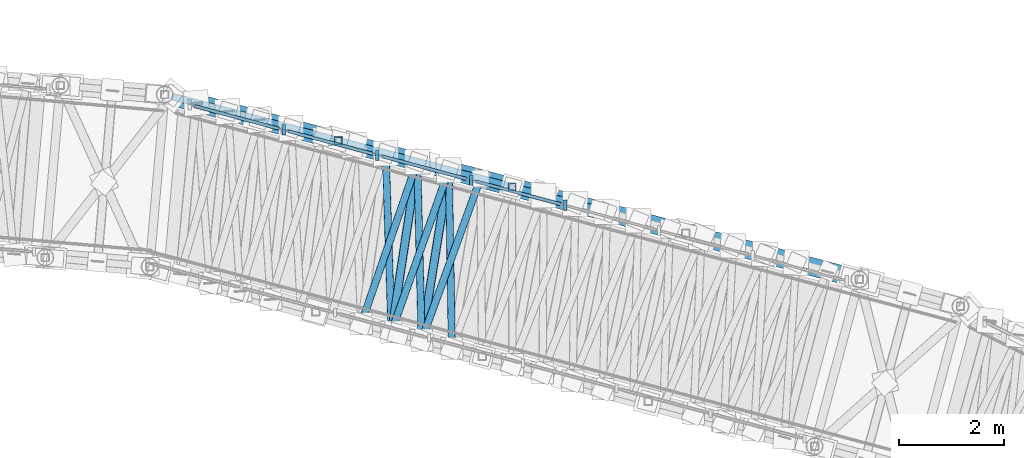
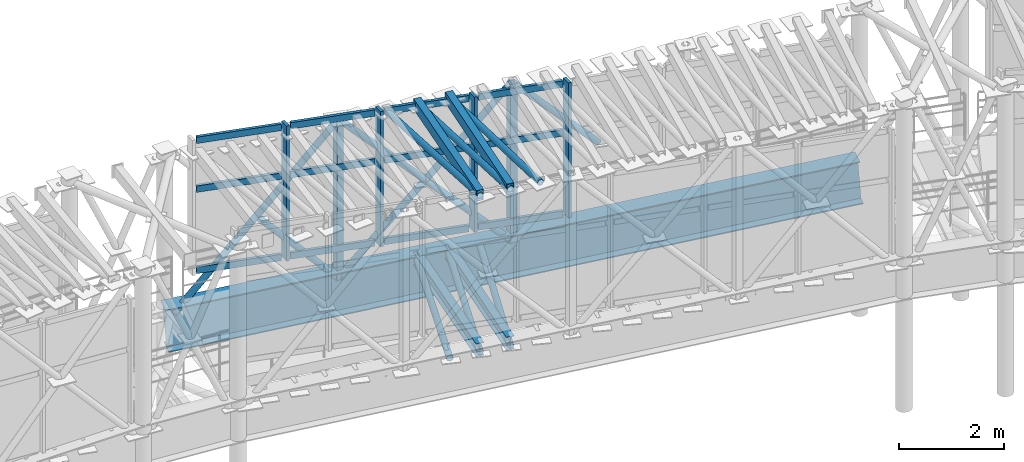
# One storey, part 59 of 144: 32 members, 3 beams, 1 element without a shape of its own.
"""IFC4 building model written with IfcOpenShell, lengths in metres."""

from ifc_helpers import new_model, si_unit, direction, frame, origin, origin_2d, place, context, subcontext, project, spatial, rectangle, hollow_rectangle, hollow_circle, i_section, extrude, material, material_profile, profile_set, type_object, element, aggregate, save


model = new_model("IFC4")

# Units and contexts
model_context = context("Model", 3, precision=1e-05, world=origin(), true_north=direction((0.0, 1.0)))
body_context = subcontext(model_context, "Body", "Model", "MODEL_VIEW")
ifc_project = project(units=[si_unit("LENGTHUNIT", "METRE"), si_unit("AREAUNIT", "SQUARE_METRE"), si_unit("VOLUMEUNIT", "CUBIC_METRE"), si_unit("PLANEANGLEUNIT", "RADIAN"), si_unit("MASSUNIT", "GRAM", prefix="KILO")], contexts=[model_context])

# Site, building, storey
site_placement = place(None, origin())
site = spatial("IfcSite", under=ifc_project, at=site_placement, CompositionType="ELEMENT")
building_placement = place(site_placement, origin())
building = spatial("IfcBuilding", under=site, at=building_placement, Name="Cinderbank Siding Concert Hall", CompositionType="ELEMENT")
storey_placement = place(building_placement, frame((0.0, 0.0, 5.39990234375)))
storey = spatial("IfcBuildingStorey", under=building, at=storey_placement, Name="L02", CompositionType="ELEMENT", Elevation=5.39990234375)

# Beam
ifc_material_1 = material(Name="Structural steel welded plate section AS/NZS 3679.2 / AS/NZS 3678 Grade 350 (340 MPa)", Category="steel")
ifc_material_profile_1 = material_profile(ifc_material_1, i_section(OverallWidth=0.35009765625, OverallDepth=1.0, WebThickness=0.013916015625, FlangeThickness=0.02490234375, at=origin_2d()), Name="1000WB258", Category="LoadBearing")
ifc_profile_set_1 = profile_set([ifc_material_profile_1], Name="Structural steel welded plate section AS/NZS 3679.2 / AS/NZS 3678 Grade 350 (340 MPa)")
beam_type_1 = type_object("IfcBeamType", Name="BM-WB1000 1000WB258", PredefinedType="BEAM", material=ifc_profile_set_1)
beam_1_placement = place(storey_placement, frame((94.863037109375, 101.090087890625, 2.16015625), z_axis=(0.964029778226, -0.256474894526, 0.069765429628), x_axis=(0.257101341493, 0.966384447413, 0.0)))
element("IfcBeam", 1, at=beam_1_placement, inside=storey, type_object=beam_type_1, Name="L02 Beam BM-WB1000 #1985", PredefinedType="BEAM", context=body_context, shape_type="SweptSolid", body=[
    extrude(i_section(OverallWidth=0.35009765625, OverallDepth=1.0, WebThickness=0.013916015625, FlangeThickness=0.02490234375, at=origin_2d()), origin(), (0.0, 0.0, 1.0), 13.759765625),
])

# Members
ifc_material_2 = material(Name="Structural steel hollow section AS/NZS 1163 Grade C350L0 (350 MPa)", Category="steel")
ifc_material_profile_2 = material_profile(ifc_material_2, hollow_circle(Radius=0.06982421875, WallThickness=0.00634765625, at=origin_2d()), Name="139.7x6.4CHS", Category="LoadBearing")
ifc_profile_set_2 = profile_set([ifc_material_profile_2], Name="Structural steel hollow section AS/NZS 1163 Grade C350L0 (350 MPa)")
member_type_1 = type_object("IfcMemberType", Name="BR-CHS139 139.7x6.4CHS Roof Truss", PredefinedType="BRACE", material=ifc_profile_set_2)
member_1_placement = place(storey_placement, frame((95.046630859375, 101.041259765625, 2.443359375), z_axis=(0.615209960103, -0.163691590974, 0.771182058943), x_axis=(0.257128212589, 0.966377298104, 0.0)))
element("IfcMember", 2, at=member_1_placement, inside=storey, type_object=member_type_1, Name="L02 Diagonal Brace BR-CHS139 #BRDL-BR-CHS139-L02-0340", PredefinedType="BRACE", context=body_context, shape_type="SweptSolid", body=[
    extrude(hollow_circle(Radius=0.06982421875, WallThickness=0.00634765625, at=origin_2d()), origin(), (0.0, 0.0, 1.0), 5.091796875),
])
member_2_placement = place(storey_placement, frame((96.622802734375, 100.621826171875, 4.395751953125), z_axis=(0.659379670982, -0.175420850507, -0.731058119921), x_axis=(0.257096502905, 0.966385734681, 0.0)))
element("IfcMember", 3, at=member_2_placement, inside=storey, type_object=member_type_1, Name="L02 Diagonal Brace BR-CHS139 #BRDL-BR-CHS139-L02-0341-S37", PredefinedType="BRACE", context=body_context, shape_type="SweptSolid", body=[
    extrude(hollow_circle(Radius=0.06982421875, WallThickness=0.00634765625, at=origin_2d()), origin(), (0.0, 0.0, 1.0), 2.3603515625),
])
member_3_placement = place(storey_placement, frame((98.17919921875, 100.207763671875, 2.670166015625), z_axis=(0.634724017594, -0.168867240841, 0.75406185188), x_axis=(0.25710469443, 0.966383555377, 0.0)))
element("IfcMember", 4, at=member_3_placement, inside=storey, type_object=member_type_1, Name="L02 Diagonal Brace BR-CHS139 #BRDL-BR-CHS139-L02-0343", PredefinedType="BRACE", context=body_context, shape_type="SweptSolid", body=[
    extrude(hollow_circle(Radius=0.06982421875, WallThickness=0.00634765625, at=origin_2d()), origin(), (0.0, 0.0, 1.0), 5.224853515625),
])
for number, where, z_axis, x_axis, name in (
    (5, (98.17919921875, 100.207763671875, 6.3701171875), (0.680542172406, -0.181074628391, -0.709981922679), (0.257127962504, 0.966377364645, 0.0), "L02 Diagonal Brace BR-CHS139 #BRDL-BR-CHS139-L02-0344"),
    (6, (99.84765625, 99.763916015625, 4.62939453125), (0.680542172406, -0.181074628391, -0.709981922679), (0.257127962504, 0.966377364645, 0.0), "L02 Diagonal Brace BR-CHS139 #BRDL-BR-CHS139-L02-0344-S38"),
):
    element("IfcMember", number, at=place(storey_placement, frame(where, z_axis=z_axis, x_axis=x_axis)), inside=storey, type_object=member_type_1, Name=name, PredefinedType="BRACE", context=body_context, shape_type="SweptSolid", body=[
        extrude(hollow_circle(Radius=0.06982421875, WallThickness=0.00634765625, at=origin_2d()), origin(), (0.0, 0.0, 1.0), 2.421630859375),
    ])
member_4_placement = place(storey_placement, frame((101.49560546875, 99.325439453125, 6.610107421875), z_axis=(0.68050046147, -0.180989528573, -0.710043599003), x_axis=(0.257029816946, 0.966403473297, 0.0)))
element("IfcMember", 7, at=member_4_placement, inside=storey, type_object=member_type_1, Name="L02 Diagonal Brace BR-CHS139 #BRDL-BR-CHS139-L02-0347", PredefinedType="BRACE", context=body_context, shape_type="SweptSolid", body=[
    extrude(hollow_circle(Radius=0.06982421875, WallThickness=0.00634765625, at=origin_2d()), origin(), (0.0, 0.0, 1.0), 2.42138671875),
])
member_5_placement = place(storey_placement, frame((98.615478515625, 96.711181640625, 2.765625), z_axis=(0.326956347543, 0.944946325621, 0.013266065617), x_axis=(-0.945029486439, 0.326985121619, 0.0)))
element("IfcMember", 8, at=member_5_placement, inside=storey, type_object=member_type_1, Name="L02 Diagonal Brace BR-CHS139 #BRST-BR-CHS139-L02-0383", PredefinedType="BRACE", context=body_context, shape_type="SweptSolid", body=[
    extrude(hollow_circle(Radius=0.06982421875, WallThickness=0.00634765625, at=origin_2d()), origin(), (0.0, 0.0, 1.0), 3.27587890625),
])
member_6_placement = place(storey_placement, frame((99.083740234375, 99.967041015625, 6.405517578125), z_axis=(0.031969004678, -0.999406871075, 0.012801905676), x_axis=(0.999488776933, 0.031971624681, 0.0)))
element("IfcMember", 9, at=member_6_placement, inside=storey, type_object=member_type_1, Name="L02 Diagonal Brace BR-CHS139 #BRXR-BR-CHS139-L02-0384", PredefinedType="BRACE", context=body_context, shape_type="SweptSolid", body=[
    extrude(hollow_circle(Radius=0.06982421875, WallThickness=0.00634765625, at=origin_2d()), origin(), (0.0, 0.0, 1.0), 3.41357421875),
])
member_7_placement = place(storey_placement, frame((99.19287109375, 96.555419921875, 2.80908203125), z_axis=(0.334363099547, 0.942350142535, 0.013323908018), x_axis=(-0.942433799747, 0.334392782659, 0.0)))
element("IfcMember", 10, at=member_7_placement, inside=storey, type_object=member_type_1, Name="L02 Diagonal Brace BR-CHS139 #BRST-BR-CHS139-L02-0386", PredefinedType="BRACE", context=body_context, shape_type="SweptSolid", body=[
    extrude(hollow_circle(Radius=0.06982421875, WallThickness=0.00634765625, at=origin_2d()), origin(), (0.0, 0.0, 1.0), 3.27978515625),
])
member_8_placement = place(storey_placement, frame((99.6865234375, 99.806640625, 6.44921875), z_axis=(0.024497997072, -0.999618564724, 0.012750419529), x_axis=(0.999699830227, 0.024499988673, 0.0)))
element("IfcMember", 11, at=member_8_placement, inside=storey, type_object=member_type_1, Name="L02 Diagonal Brace BR-CHS139 #BRXR-BR-CHS139-L02-0387", PredefinedType="BRACE", context=body_context, shape_type="SweptSolid", body=[
    extrude(hollow_circle(Radius=0.06982421875, WallThickness=0.00634765625, at=origin_2d()), origin(), (0.0, 0.0, 1.0), 3.408203125),
])
member_9_placement = place(storey_placement, frame((99.77001953125, 96.399658203125, 2.852783203125), z_axis=(0.341796367137, 0.939679834053, 0.013306122166), x_axis=(-0.939763031614, 0.341826629172, 0.0)))
element("IfcMember", 12, at=member_9_placement, inside=storey, type_object=member_type_1, Name="L02 Diagonal Brace BR-CHS139 #BRST-BR-CHS139-L02-0389", PredefinedType="BRACE", context=body_context, shape_type="SweptSolid", body=[
    extrude(hollow_circle(Radius=0.06982421875, WallThickness=0.00634765625, at=origin_2d()), origin(), (0.0, 0.0, 1.0), 3.2841796875),
])
member_10_placement = place(storey_placement, frame((100.28955078125, 99.646240234375, 6.49267578125), z_axis=(0.017002453812, -0.99977298025, 0.012841515748), x_axis=(0.999855423992, 0.017003855876, 0.0)))
element("IfcMember", 13, at=member_10_placement, inside=storey, type_object=member_type_1, Name="L02 Diagonal Brace BR-CHS139 #BRXR-BR-CHS139-L02-0390", PredefinedType="BRACE", context=body_context, shape_type="SweptSolid", body=[
    extrude(hollow_circle(Radius=0.06982421875, WallThickness=0.00634765625, at=origin_2d()), origin(), (0.0, 0.0, 1.0), 3.403076171875),
])
ifc_material_profile_3 = material_profile(ifc_material_2, hollow_rectangle(XDim=0.14990234375, YDim=0.14990234375, WallThickness=0.008056640625, at=origin_2d()), Name="150x150x8.0SHS", Category="LoadBearing")
ifc_profile_set_3 = profile_set([ifc_material_profile_3], Name="Structural steel hollow section AS/NZS 1163 Grade C350L0 (350 MPa)")
member_type_2 = type_object("IfcMemberType", Name="BR-SHS150 150x150x8.0SHS Roof Truss", PredefinedType="BRACE", material=ifc_profile_set_3)
for number, where, z_axis, x_axis, name in (
    (14, (98.17919921875, 100.207763671875, 2.670166015625), (0.0, 0.0, 1.0), (1.0, 0.0, 0.0), "L02 Diagonal Brace BR-SHS150 #BRVL-BR-SHS150-L02-0342"),
    (15, (101.49560546875, 99.325439453125, 2.91015625), (0.0, 0.0, 1.0), (1.0, 0.0, 0.0), "L02 Diagonal Brace BR-SHS150 #BRVL-BR-SHS150-L02-0345"),
):
    element("IfcMember", number, at=place(storey_placement, frame(where, z_axis=z_axis, x_axis=x_axis)), inside=storey, type_object=member_type_2, Name=name, PredefinedType="BRACE", context=body_context, shape_type="SweptSolid", body=[
        extrude(hollow_rectangle(XDim=0.14990234375, YDim=0.14990234375, WallThickness=0.008056640625, at=origin_2d()), origin(), (0.0, 0.0, 1.0), 3.699951171875),
    ])

# Curtain wall, members
ifc_material_3 = material(Name="Anodised aluminium alloy 6063-T6", Category="aluminium")
curtain_wall_type = type_object("IfcCurtainWallType", Name="CW-15 Unitised Acoustic Curtain Wall 12800x3200", PredefinedType="NOTDEFINED", material=ifc_material_3)
curtain_wall_placement = place(storey_placement, origin())
curtain_wall = element("IfcCurtainWall", 16, at=curtain_wall_placement, inside=storey, type_object=curtain_wall_type, Name="L02 Curtain Wall CW-15 #159", PredefinedType="NOTDEFINED")
ifc_material_profile_4 = material_profile(ifc_material_3, rectangle(XDim=0.06494140625, YDim=0.199951171875, at=origin_2d()), Name="ALU-MULL-65x200", Category="LoadBearing")
ifc_profile_set_4 = profile_set([ifc_material_profile_4], Name="Anodised aluminium alloy 6063-T6")
member_type_3 = type_object("IfcMemberType", Name="CW-ML2 Mullion 65x200", PredefinedType="MULLION", material=ifc_profile_set_4)
member_11_placement = place(storey_placement, frame((97.1337890625, 100.4140625, 3.360107421875), z_axis=(0.0, 0.0, 1.0), x_axis=(1.0, 0.0, 0.0)))
member_11 = element("IfcMember", 17, at=member_11_placement, type_object=member_type_3, Name="CW-L02-159 Mullion 1", PredefinedType="MULLION", context=body_context, shape_type="SweptSolid", body=[
    extrude(rectangle(XDim=0.06494140625, YDim=0.199951171875, at=origin_2d()), origin(), (0.0, 0.0, 1.0), 3.14990234375),
])
member_12_placement = place(storey_placement, frame((98.92578125, 99.933837890625, 3.360107421875), z_axis=(0.0, 0.0, 1.0), x_axis=(1.0, 0.0, 0.0)))
member_12 = element("IfcMember", 18, at=member_12_placement, type_object=member_type_3, Name="CW-L02-159 Mullion 2", PredefinedType="MULLION", context=body_context, shape_type="SweptSolid", body=[
    extrude(rectangle(XDim=0.06494140625, YDim=0.199951171875, at=origin_2d()), origin(), (0.0, 0.0, 1.0), 3.14990234375),
])
member_13_placement = place(storey_placement, frame((100.7177734375, 99.453857421875, 3.360107421875), z_axis=(0.0, 0.0, 1.0), x_axis=(1.0, 0.0, 0.0)))
member_13 = element("IfcMember", 19, at=member_13_placement, type_object=member_type_3, Name="CW-L02-159 Mullion 3", PredefinedType="MULLION", context=body_context, shape_type="SweptSolid", body=[
    extrude(rectangle(XDim=0.06494140625, YDim=0.199951171875, at=origin_2d()), origin(), (0.0, 0.0, 1.0), 3.14990234375),
])
member_14_placement = place(storey_placement, frame((102.509765625, 98.9736328125, 3.360107421875), z_axis=(0.0, 0.0, 1.0), x_axis=(1.0, 0.0, 0.0)))
member_14 = element("IfcMember", 20, at=member_14_placement, type_object=member_type_3, Name="CW-L02-159 Mullion 4", PredefinedType="MULLION", context=body_context, shape_type="SweptSolid", body=[
    extrude(rectangle(XDim=0.06494140625, YDim=0.199951171875, at=origin_2d()), origin(), (0.0, 0.0, 1.0), 3.14990234375),
])
ifc_material_profile_5 = material_profile(ifc_material_3, rectangle(XDim=0.06494140625, YDim=0.14990234375, at=origin_2d()), Name="ALU-TRAN-65x150", Category="LoadBearing")
ifc_profile_set_5 = profile_set([ifc_material_profile_5], Name="Anodised aluminium alloy 6063-T6")
member_type_4 = type_object("IfcMemberType", Name="CW-TR2 Transom 65x150", PredefinedType="USERDEFINED", material=ifc_profile_set_5)
member_15_placement = place(storey_placement, frame((95.431640625, 100.8701171875, 3.420166015625), z_axis=(0.965918675344, -0.258845731319, 0.0), x_axis=(0.258845731319, 0.965918675344, 0.0)))
member_15 = element("IfcMember", 21, at=member_15_placement, type_object=member_type_4, Name="CW-L02-159 Transom 0-0", ObjectType="TRANSOM", PredefinedType="USERDEFINED", context=body_context, shape_type="SweptSolid", body=[
    extrude(rectangle(XDim=0.06494140625, YDim=0.14990234375, at=origin_2d()), origin(), (0.0, 0.0, 1.0), 1.66943359375),
])
member_16_placement = place(storey_placement, frame((95.431640625, 100.8701171875, 5.31298828125), z_axis=(0.965918675344, -0.258845731319, 0.0), x_axis=(0.258845731319, 0.965918675344, 0.0)))
member_16 = element("IfcMember", 22, at=member_16_placement, type_object=member_type_4, Name="CW-L02-159 Transom 0-1", ObjectType="TRANSOM", PredefinedType="USERDEFINED", context=body_context, shape_type="SweptSolid", body=[
    extrude(rectangle(XDim=0.06494140625, YDim=0.14990234375, at=origin_2d()), origin(), (0.0, 0.0, 1.0), 1.66943359375),
])
member_17_placement = place(storey_placement, frame((95.431640625, 100.8701171875, 6.4501953125), z_axis=(0.965918675344, -0.258845731319, 0.0), x_axis=(0.258845731319, 0.965918675344, 0.0)))
member_17 = element("IfcMember", 23, at=member_17_placement, type_object=member_type_4, Name="CW-L02-159 Transom 0-2", ObjectType="TRANSOM", PredefinedType="USERDEFINED", context=body_context, shape_type="SweptSolid", body=[
    extrude(rectangle(XDim=0.06494140625, YDim=0.14990234375, at=origin_2d()), origin(), (0.0, 0.0, 1.0), 1.66943359375),
])
member_18_placement = place(storey_placement, frame((97.223388671875, 100.39013671875, 3.420166015625), z_axis=(0.965928471546, -0.258809172667, 0.0), x_axis=(0.258809172667, 0.965928471546, 0.0)))
member_18 = element("IfcMember", 24, at=member_18_placement, type_object=member_type_4, Name="CW-L02-159 Transom 1-0", ObjectType="TRANSOM", PredefinedType="USERDEFINED", context=body_context, shape_type="SweptSolid", body=[
    extrude(rectangle(XDim=0.06494140625, YDim=0.14990234375, at=origin_2d()), origin(), (0.0, 0.0, 1.0), 1.669677734375),
])
member_19_placement = place(storey_placement, frame((97.223388671875, 100.39013671875, 5.31298828125), z_axis=(0.965928471546, -0.258809172667, 0.0), x_axis=(0.258809172667, 0.965928471546, 0.0)))
member_19 = element("IfcMember", 25, at=member_19_placement, type_object=member_type_4, Name="CW-L02-159 Transom 1-1", ObjectType="TRANSOM", PredefinedType="USERDEFINED", context=body_context, shape_type="SweptSolid", body=[
    extrude(rectangle(XDim=0.06494140625, YDim=0.14990234375, at=origin_2d()), origin(), (0.0, 0.0, 1.0), 1.669677734375),
])
member_20_placement = place(storey_placement, frame((97.223388671875, 100.39013671875, 6.4501953125), z_axis=(0.965928471546, -0.258809172667, 0.0), x_axis=(0.258809172667, 0.965928471546, 0.0)))
member_20 = element("IfcMember", 26, at=member_20_placement, type_object=member_type_4, Name="CW-L02-159 Transom 1-2", ObjectType="TRANSOM", PredefinedType="USERDEFINED", context=body_context, shape_type="SweptSolid", body=[
    extrude(rectangle(XDim=0.06494140625, YDim=0.14990234375, at=origin_2d()), origin(), (0.0, 0.0, 1.0), 1.669677734375),
])
member_21_placement = place(storey_placement, frame((99.015380859375, 99.909912109375, 3.420166015625), z_axis=(0.965928471546, -0.258809172667, 0.0), x_axis=(0.258809172667, 0.965928471546, 0.0)))
member_21 = element("IfcMember", 27, at=member_21_placement, type_object=member_type_4, Name="CW-L02-159 Transom 2-0", ObjectType="TRANSOM", PredefinedType="USERDEFINED", context=body_context, shape_type="SweptSolid", body=[
    extrude(rectangle(XDim=0.06494140625, YDim=0.14990234375, at=origin_2d()), origin(), (0.0, 0.0, 1.0), 1.669677734375),
])
member_22_placement = place(storey_placement, frame((99.015380859375, 99.909912109375, 5.31298828125), z_axis=(0.965928471546, -0.258809172667, 0.0), x_axis=(0.258809172667, 0.965928471546, 0.0)))
member_22 = element("IfcMember", 28, at=member_22_placement, type_object=member_type_4, Name="CW-L02-159 Transom 2-1", ObjectType="TRANSOM", PredefinedType="USERDEFINED", context=body_context, shape_type="SweptSolid", body=[
    extrude(rectangle(XDim=0.06494140625, YDim=0.14990234375, at=origin_2d()), origin(), (0.0, 0.0, 1.0), 1.669677734375),
])
member_23_placement = place(storey_placement, frame((99.015380859375, 99.909912109375, 6.4501953125), z_axis=(0.965928471546, -0.258809172667, 0.0), x_axis=(0.258809172667, 0.965928471546, 0.0)))
member_23 = element("IfcMember", 29, at=member_23_placement, type_object=member_type_4, Name="CW-L02-159 Transom 2-2", ObjectType="TRANSOM", PredefinedType="USERDEFINED", context=body_context, shape_type="SweptSolid", body=[
    extrude(rectangle(XDim=0.06494140625, YDim=0.14990234375, at=origin_2d()), origin(), (0.0, 0.0, 1.0), 1.669677734375),
])
member_24_placement = place(storey_placement, frame((100.807373046875, 99.4296875, 3.420166015625), z_axis=(0.965928471546, -0.258809172667, 0.0), x_axis=(0.258809172667, 0.965928471546, 0.0)))
member_24 = element("IfcMember", 30, at=member_24_placement, type_object=member_type_4, Name="CW-L02-159 Transom 3-0", ObjectType="TRANSOM", PredefinedType="USERDEFINED", context=body_context, shape_type="SweptSolid", body=[
    extrude(rectangle(XDim=0.06494140625, YDim=0.14990234375, at=origin_2d()), origin(), (0.0, 0.0, 1.0), 1.669677734375),
])
member_25_placement = place(storey_placement, frame((100.807373046875, 99.4296875, 5.31298828125), z_axis=(0.965928471546, -0.258809172667, 0.0), x_axis=(0.258809172667, 0.965928471546, 0.0)))
member_25 = element("IfcMember", 31, at=member_25_placement, type_object=member_type_4, Name="CW-L02-159 Transom 3-1", ObjectType="TRANSOM", PredefinedType="USERDEFINED", context=body_context, shape_type="SweptSolid", body=[
    extrude(rectangle(XDim=0.06494140625, YDim=0.14990234375, at=origin_2d()), origin(), (0.0, 0.0, 1.0), 1.669677734375),
])
member_26_placement = place(storey_placement, frame((100.807373046875, 99.4296875, 6.4501953125), z_axis=(0.965928471546, -0.258809172667, 0.0), x_axis=(0.258809172667, 0.965928471546, 0.0)))
member_26 = element("IfcMember", 32, at=member_26_placement, type_object=member_type_4, Name="CW-L02-159 Transom 3-2", ObjectType="TRANSOM", PredefinedType="USERDEFINED", context=body_context, shape_type="SweptSolid", body=[
    extrude(rectangle(XDim=0.06494140625, YDim=0.14990234375, at=origin_2d()), origin(), (0.0, 0.0, 1.0), 1.669677734375),
])
aggregate(curtain_wall, [member_11, member_12, member_13, member_14, member_15, member_16, member_17, member_18, member_19, member_20, member_21, member_22, member_23, member_24, member_25, member_26])

# Beams
ifc_material_4 = material(Name="Structural steel AS/NZS 3679.1 Grade 350 (340 MPa)", Category="steel")
ifc_material_profile_6 = material_profile(ifc_material_4, i_section(OverallWidth=0.1650390625, OverallDepth=0.303955078125, WebThickness=0.006103515625, FlangeThickness=0.01025390625, at=origin_2d()), Name="310UB40.4", Category="LoadBearing")
ifc_profile_set_6 = profile_set([ifc_material_profile_6], Name="Structural steel AS/NZS 3679.1 Grade 350 (340 MPa)")
beam_type_2 = type_object("IfcBeamType", Name="JS-UB310 310UB40.4", PredefinedType="JOIST", material=ifc_profile_set_6)
beam_2_placement = place(storey_placement, frame((99.19287109375, 96.555419921875, 2.857177734375), z_axis=(0.150115465192, 0.988668471789, 0.0), x_axis=(-0.988668471789, 0.150115465192, 0.0)))
element("IfcBeam", 33, at=beam_2_placement, inside=storey, type_object=beam_type_2, Name="L02 Beam JS-UB310 #1994", PredefinedType="JOIST", context=body_context, shape_type="SweptSolid", body=[
    extrude(i_section(OverallWidth=0.1650390625, OverallDepth=0.303955078125, WebThickness=0.006103515625, FlangeThickness=0.01025390625, at=origin_2d()), origin(), (0.0, 0.0, 1.0), 3.28857421875),
])
beam_3_placement = place(storey_placement, frame((99.77001953125, 96.399658203125, 2.90087890625), z_axis=(0.158013669408, 0.98743692471, 0.0), x_axis=(-0.98743692471, 0.158013669408, 0.0)))
element("IfcBeam", 34, at=beam_3_placement, inside=storey, type_object=beam_type_2, Name="L02 Beam JS-UB310 #1995", PredefinedType="JOIST", context=body_context, shape_type="SweptSolid", body=[
    extrude(i_section(OverallWidth=0.1650390625, OverallDepth=0.303955078125, WebThickness=0.006103515625, FlangeThickness=0.01025390625, at=origin_2d()), origin(), (0.0, 0.0, 1.0), 3.287841796875),
])

# Members
ifc_material_profile_7 = material_profile(ifc_material_2, hollow_rectangle(XDim=0.14990234375, YDim=0.25, WallThickness=0.009033203125, at=origin_2d()), Name="250x150x9.0RHS", Category="LoadBearing")
ifc_profile_set_7 = profile_set([ifc_material_profile_7], Name="Structural steel hollow section AS/NZS 1163 Grade C350L0 (350 MPa)")
member_type_5 = type_object("IfcMemberType", Name="PR-RHS250 250x150x9.0RHS Roof Truss", PredefinedType="PURLIN", material=ifc_profile_set_7)
member_27_placement = place(storey_placement, frame((99.19287109375, 96.555419921875, 6.44921875), z_axis=(0.150115465192, 0.988668471789, 0.0), x_axis=(-0.988668471789, 0.150115465192, 0.0)))
element("IfcMember", 35, at=member_27_placement, inside=storey, type_object=member_type_5, Name="L02 Roof Truss Member PR-RHS250 #382", PredefinedType="PURLIN", context=body_context, shape_type="SweptSolid", body=[
    extrude(hollow_rectangle(XDim=0.14990234375, YDim=0.25, WallThickness=0.009033203125, at=origin_2d()), origin(), (0.0, 0.0, 1.0), 3.28857421875),
])
member_28_placement = place(storey_placement, frame((99.77001953125, 96.399658203125, 6.49267578125), z_axis=(0.158013669408, 0.98743692471, 0.0), x_axis=(-0.98743692471, 0.158013669408, 0.0)))
element("IfcMember", 36, at=member_28_placement, inside=storey, type_object=member_type_5, Name="L02 Roof Truss Member PR-RHS250 #385", PredefinedType="PURLIN", context=body_context, shape_type="SweptSolid", body=[
    extrude(hollow_rectangle(XDim=0.14990234375, YDim=0.25, WallThickness=0.009033203125, at=origin_2d()), origin(), (0.0, 0.0, 1.0), 3.287841796875),
])

save(model, "model.ifc")
